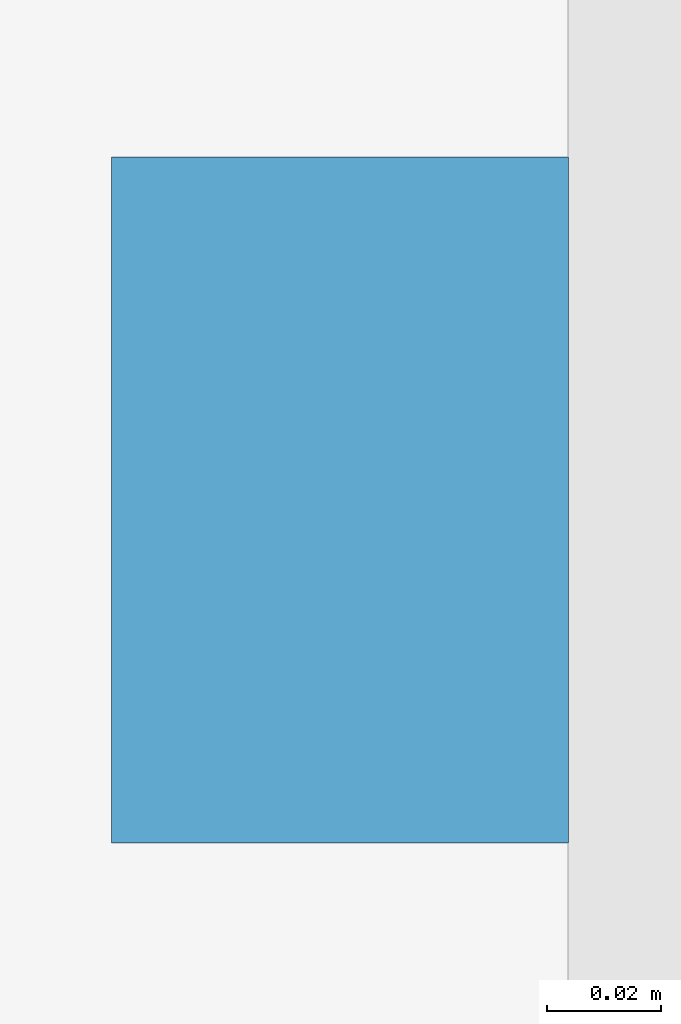
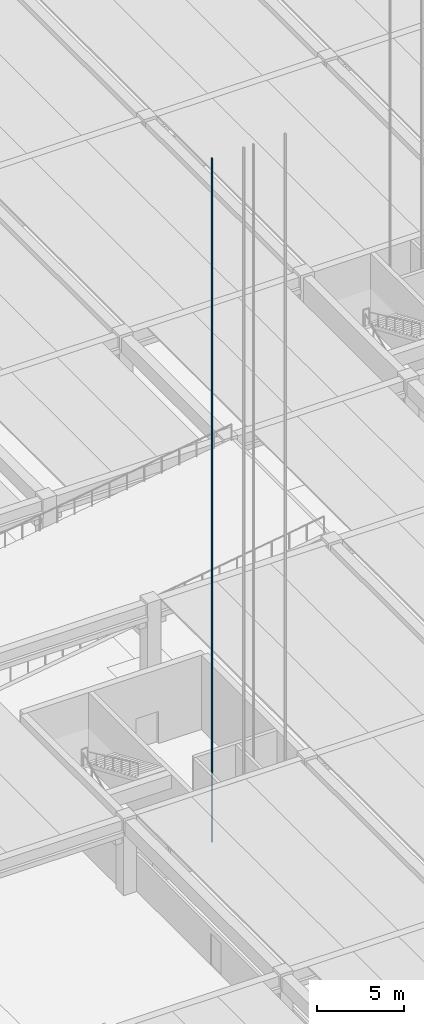
# One storey, part 33 of 59: 1 discrete accessory.
"""IFC4 building model written with IfcOpenShell, lengths in metres."""

import ifcopenshell
import ifcopenshell.guid

model = None  # the IFC model being written
_history = None  # IfcOwnerHistory: only IFC2X3 demands one
_inside = {}  # id of a spatial element -> (the spatial element, [elements in it])
_under = {}  # id of a project, library or spatial element -> (it, [spatial elements below it])
_declared = {}  # id of a project -> (the project, [libraries it declares])
_typed = {}  # id of a type object -> (the type object, [elements of that type])
_made_of = {}  # id of a material, layer set ... -> (it, [elements and type objects made of it])


def new_model(schema):
    """Start an empty IFC model of exactly this schema.

    Asked for "IFC4X3", IfcOpenShell would pick the latest addendum, in which some entities
    have other attributes; the version numbers below select the first issue.
    IFC2X3 requires an IfcOwnerHistory on every rooted entity: one is made here for all.
    """
    global model, _history
    if schema == "IFC4X3":
        model = ifcopenshell.file(schema_version=(4, 3, 0, 0))
    else:
        model = ifcopenshell.file(schema=schema)
    _inside.clear()
    _under.clear()
    _declared.clear()
    _typed.clear()
    _made_of.clear()
    _history = None
    if model.schema == "IFC2X3":
        org = make("IfcOrganization", Name="unknown")
        user = make(
            "IfcPersonAndOrganization",
            ThePerson=make("IfcPerson", FamilyName="unknown"),
            TheOrganization=org,
        )
        app = make(
            "IfcApplication",
            ApplicationDeveloper=org,
            Version="unknown",
            ApplicationFullName="unknown",
            ApplicationIdentifier="unknown",
        )
        _history = make(
            "IfcOwnerHistory",
            OwningUser=user,
            OwningApplication=app,
            ChangeAction="ADDED",
            CreationDate=0,
        )
    return model


def make(cls, **values):
    """One entity of the class cls with the attributes given. An attribute that is None is left unset."""
    return model.create_entity(
        cls, **{name: value for name, value in values.items() if value is not None}
    )


def rooted(cls, **values):
    """An entity with a GlobalId (a new one), such as an element, a storey or a relation."""
    return make(cls, GlobalId=ifcopenshell.guid.new(), OwnerHistory=_history, **values)


def si_unit(unit_type, name, prefix=None):
    """IfcSIUnit, for example si_unit("LENGTHUNIT", "METRE", prefix="MILLI")."""
    return make("IfcSIUnit", UnitType=unit_type, Prefix=prefix, Name=name)


def assignment(units):
    """IfcUnitAssignment: the units of a project."""
    return None if units is None else make("IfcUnitAssignment", Units=units)


def point(xyz):
    """IfcCartesianPoint."""
    return None if xyz is None else make("IfcCartesianPoint", Coordinates=xyz)


def direction(xyz):
    """IfcDirection."""
    return None if xyz is None else make("IfcDirection", DirectionRatios=xyz)


def frame(location, z_axis=None, x_axis=None):
    """IfcAxis2Placement3D, a coordinate frame: its origin and axes. An axis left out is left unset."""
    return make(
        "IfcAxis2Placement3D",
        Location=point(location),
        Axis=direction(z_axis),
        RefDirection=direction(x_axis),
    )


def frame_2d(location, x_axis=None):
    """IfcAxis2Placement2D, a coordinate frame in the plane: its origin and x axis."""
    return make(
        "IfcAxis2Placement2D", Location=point(location), RefDirection=direction(x_axis)
    )


def origin():
    """The frame at (0, 0, 0) with its axes left unset."""
    return frame((0.0, 0.0, 0.0))


def origin_2d():
    """The frame at (0, 0) in the plane with its x axis left unset."""
    return frame_2d((0.0, 0.0))


def place(relative_to, where):
    """IfcLocalPlacement: puts the frame where relative to a parent placement (None: the world)."""
    return make(
        "IfcLocalPlacement", PlacementRelTo=relative_to, RelativePlacement=where
    )


def context(
    kind, dimensions, precision=None, world=None, true_north=None, identifier=None
):
    """IfcGeometricRepresentationContext, for example the 3D "Model" context."""
    return make(
        "IfcGeometricRepresentationContext",
        ContextIdentifier=identifier,
        ContextType=kind,
        CoordinateSpaceDimension=dimensions,
        Precision=precision,
        WorldCoordinateSystem=world,
        TrueNorth=true_north,
    )


def subcontext(parent, identifier, kind, view, scale=None):
    """IfcGeometricRepresentationSubContext, for example "Body" below "Model"."""
    return make(
        "IfcGeometricRepresentationSubContext",
        ContextIdentifier=identifier,
        ContextType=kind,
        ParentContext=parent,
        TargetScale=scale,
        TargetView=view,
    )


def project(units=None, contexts=None):
    """IfcProject with its units and contexts."""
    return rooted(
        "IfcProject",
        Name="project",
        RepresentationContexts=contexts,
        UnitsInContext=assignment(units),
    )


def spatial(cls, under=None, at=None, **own):
    """A site, building, storey or space (cls), placed at a placement, below another one or the project."""
    s = rooted(cls, ObjectPlacement=at, **own)
    if under is not None:
        _under.setdefault(under.id(), (under, []))[1].append(s)
    return s


def profile(cls, at=None, kind="AREA", **sizes):
    """A parametric profile (cls). Its sizes go by their IFC names, for example OverallWidth=200.0."""
    return make(cls, ProfileType=kind, Position=at, **sizes)


def rectangle(**sizes):
    """IfcRectangleProfileDef."""
    return profile("IfcRectangleProfileDef", **sizes)


def extrude(swept, where, along, depth):
    """IfcExtrudedAreaSolid: the profile swept, set in the frame where, extruded along a direction by depth."""
    return make(
        "IfcExtrudedAreaSolid",
        SweptArea=swept,
        Position=where,
        ExtrudedDirection=direction(along),
        Depth=depth,
    )


def shape(context_of_items, identifier, shape_type, items):
    """IfcShapeRepresentation: the items that make up one representation, for example the "Body"."""
    return make(
        "IfcShapeRepresentation",
        ContextOfItems=context_of_items,
        RepresentationIdentifier=identifier,
        RepresentationType=shape_type,
        Items=items,
    )


def material(Name=None, Category=None):
    """IfcMaterial."""
    return make("IfcMaterial", Name=Name, Category=Category)


def made_of(thing, what):
    """Note that an element or type object is made of a material, layer set ...; save() writes the relation."""
    if what is not None:
        _made_of.setdefault(what.id(), (what, []))[1].append(thing)
    return thing


def type_object(cls, material=None, **own):
    """A type object (cls), such as IfcWallType, which elements share."""
    return made_of(rooted(cls, **own), material)


def element(
    cls,
    number,
    at=None,
    inside=None,
    cuts=None,
    type_object=None,
    material=None,
    context=None,
    identifier="Body",
    shape_type=None,
    held_by="IfcProductDefinitionShape",
    body=None,
    shapes=None,
    **own,
):
    """One element of the class cls, such as IfcWall. Its Tag is "e" and its number.

    at: its placement. inside: the storey or other place that contains it. cuts: it is an
    opening in that element (IfcRelVoidsElement). A single representation is given by context,
    identifier, shape_type and body (its items); several are given by shapes. held_by: the class
    of the entity that holds the representations. save() writes the other relations.
    """
    e = rooted(cls, Tag="e%d" % number, ObjectPlacement=at, **own)
    if body is not None:
        shapes = [shape(context, identifier, shape_type, body)]
    if shapes is not None:
        e.Representation = make(held_by, Representations=shapes)
    if inside is not None:
        _inside.setdefault(inside.id(), (inside, []))[1].append(e)
    if cuts is not None:
        rooted(
            "IfcRelVoidsElement", RelatingBuildingElement=cuts, RelatedOpeningElement=e
        )
    if type_object is not None:
        _typed.setdefault(type_object.id(), (type_object, []))[1].append(e)
    return made_of(e, material)


def aggregate(whole, parts):
    """IfcRelAggregates: a whole, such as a stair, and the parts it consists of."""
    return rooted("IfcRelAggregates", RelatingObject=whole, RelatedObjects=parts)


def save(model, path):
    """Write the relations noted so far, then the file.

    IfcRelAggregates (storeys below a building ...), IfcRelContainedInSpatialStructure (elements
    in a storey), IfcRelDefinesByType, IfcRelAssociatesMaterial and IfcRelDeclares: one each for
    every whole, place, type object, material and project.
    """
    for whole, parts in _under.values():
        aggregate(whole, parts)
    for where, things in _inside.values():
        rooted(
            "IfcRelContainedInSpatialStructure",
            RelatedElements=things,
            RelatingStructure=where,
        )
    for kind, things in _typed.values():
        rooted("IfcRelDefinesByType", RelatedObjects=things, RelatingType=kind)
    for what, things in _made_of.values():
        rooted("IfcRelAssociatesMaterial", RelatedObjects=things, RelatingMaterial=what)
    for by, libraries in _declared.values():
        rooted("IfcRelDeclares", RelatingContext=by, RelatedDefinitions=libraries)
    model.write(path)


model = new_model("IFC4")

# Units and contexts
model_context = context("Model", 3, precision=1e-05, world=origin(), true_north=direction((0.0, 1.0)))
body_context = subcontext(model_context, "Body", "Model", "MODEL_VIEW")
ifc_project = project(units=[si_unit("LENGTHUNIT", "METRE"), si_unit("AREAUNIT", "SQUARE_METRE"), si_unit("VOLUMEUNIT", "CUBIC_METRE"), si_unit("PLANEANGLEUNIT", "RADIAN"), si_unit("MASSUNIT", "GRAM", prefix="KILO")], contexts=[model_context])

# Site, building, storey
site_placement = place(None, origin())
site = spatial("IfcSite", under=ifc_project, at=site_placement, CompositionType="ELEMENT")
building_placement = place(site_placement, origin())
building = spatial("IfcBuilding", under=site, at=building_placement, Name="Girod Span Mobility Hub", CompositionType="ELEMENT")
storey_placement = place(building_placement, origin())
storey = spatial("IfcBuildingStorey", under=building, at=storey_placement, Name="L00", CompositionType="ELEMENT", Elevation=0.0)

# Discrete accessory
ifc_material = material(Name="Steel A992 Grade 50", Category="steel")
discrete_accessory_type = type_object("IfcDiscreteAccessoryType", Name="ACC-LFT-RAIL", PredefinedType="USERDEFINED", material=ifc_material)
discrete_accessory_placement = place(storey_placement, frame((78.6650390625, 28.699951171875, 0.0), z_axis=(0.0, 0.0, 1.0), x_axis=(1.0, 0.0, 0.0)))
element("IfcDiscreteAccessory", 1, at=discrete_accessory_placement, inside=storey, type_object=discrete_accessory_type, Name="Hoistway Guide Rail LP-5-W", ObjectType="GUIDE RAIL", PredefinedType="USERDEFINED", context=body_context, shape_type="SweptSolid", body=[
    extrude(rectangle(XDim=0.080078125, YDim=0.1201171875, at=origin_2d()), origin(), (0.0, 0.0, 1.0), 47.949951171875),
])

save(model, "model.ifc")
